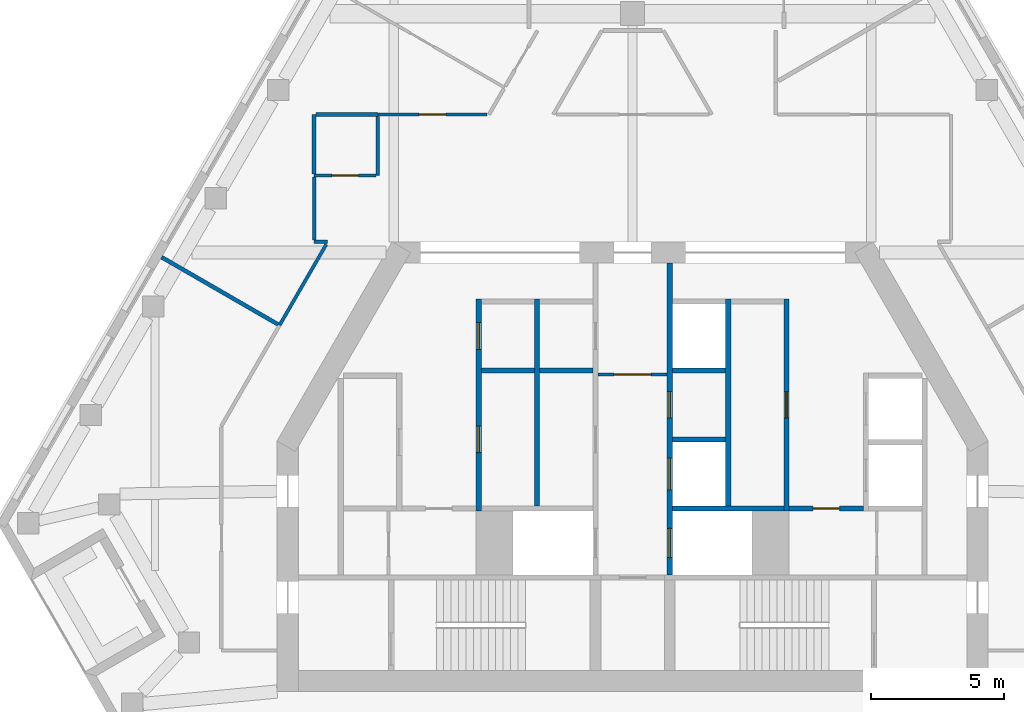
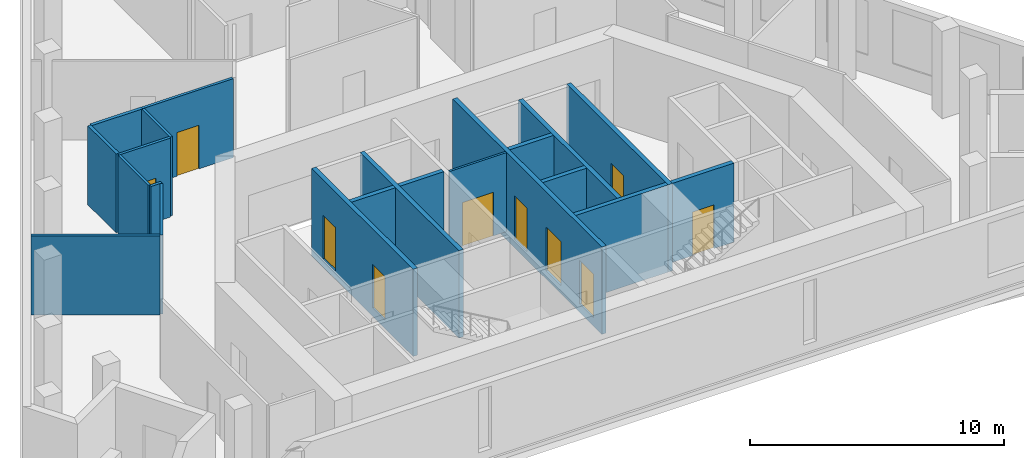
# One storey, part 3 of 8: 21 walls, 10 doors, 10 openings.
"""IFC4 building model written with IfcOpenShell, lengths in metres."""

import ifcopenshell
import ifcopenshell.guid

model = None  # the IFC model being written
_history = None  # IfcOwnerHistory: only IFC2X3 demands one
_inside = {}  # id of a spatial element -> (the spatial element, [elements in it])
_under = {}  # id of a project, library or spatial element -> (it, [spatial elements below it])
_declared = {}  # id of a project -> (the project, [libraries it declares])
_typed = {}  # id of a type object -> (the type object, [elements of that type])
_made_of = {}  # id of a material, layer set ... -> (it, [elements and type objects made of it])


def new_model(schema):
    """Start an empty IFC model of exactly this schema.

    Asked for "IFC4X3", IfcOpenShell would pick the latest addendum, in which some entities
    have other attributes; the version numbers below select the first issue.
    IFC2X3 requires an IfcOwnerHistory on every rooted entity: one is made here for all.
    """
    global model, _history
    if schema == "IFC4X3":
        model = ifcopenshell.file(schema_version=(4, 3, 0, 0))
    else:
        model = ifcopenshell.file(schema=schema)
    _inside.clear()
    _under.clear()
    _declared.clear()
    _typed.clear()
    _made_of.clear()
    _history = None
    if model.schema == "IFC2X3":
        org = make("IfcOrganization", Name="unknown")
        user = make(
            "IfcPersonAndOrganization",
            ThePerson=make("IfcPerson", FamilyName="unknown"),
            TheOrganization=org,
        )
        app = make(
            "IfcApplication",
            ApplicationDeveloper=org,
            Version="unknown",
            ApplicationFullName="unknown",
            ApplicationIdentifier="unknown",
        )
        _history = make(
            "IfcOwnerHistory",
            OwningUser=user,
            OwningApplication=app,
            ChangeAction="ADDED",
            CreationDate=0,
        )
    return model


def make(cls, **values):
    """One entity of the class cls with the attributes given. An attribute that is None is left unset."""
    return model.create_entity(
        cls, **{name: value for name, value in values.items() if value is not None}
    )


def rooted(cls, **values):
    """An entity with a GlobalId (a new one), such as an element, a storey or a relation."""
    return make(cls, GlobalId=ifcopenshell.guid.new(), OwnerHistory=_history, **values)


def si_unit(unit_type, name, prefix=None):
    """IfcSIUnit, for example si_unit("LENGTHUNIT", "METRE", prefix="MILLI")."""
    return make("IfcSIUnit", UnitType=unit_type, Prefix=prefix, Name=name)


def assignment(units):
    """IfcUnitAssignment: the units of a project."""
    return None if units is None else make("IfcUnitAssignment", Units=units)


def point(xyz):
    """IfcCartesianPoint."""
    return None if xyz is None else make("IfcCartesianPoint", Coordinates=xyz)


def direction(xyz):
    """IfcDirection."""
    return None if xyz is None else make("IfcDirection", DirectionRatios=xyz)


def frame(location, z_axis=None, x_axis=None):
    """IfcAxis2Placement3D, a coordinate frame: its origin and axes. An axis left out is left unset."""
    return make(
        "IfcAxis2Placement3D",
        Location=point(location),
        Axis=direction(z_axis),
        RefDirection=direction(x_axis),
    )


def frame_2d(location, x_axis=None):
    """IfcAxis2Placement2D, a coordinate frame in the plane: its origin and x axis."""
    return make(
        "IfcAxis2Placement2D", Location=point(location), RefDirection=direction(x_axis)
    )


def origin():
    """The frame at (0, 0, 0) with its axes left unset."""
    return frame((0.0, 0.0, 0.0))


def place(relative_to, where):
    """IfcLocalPlacement: puts the frame where relative to a parent placement (None: the world)."""
    return make(
        "IfcLocalPlacement", PlacementRelTo=relative_to, RelativePlacement=where
    )


def context(
    kind, dimensions, precision=None, world=None, true_north=None, identifier=None
):
    """IfcGeometricRepresentationContext, for example the 3D "Model" context."""
    return make(
        "IfcGeometricRepresentationContext",
        ContextIdentifier=identifier,
        ContextType=kind,
        CoordinateSpaceDimension=dimensions,
        Precision=precision,
        WorldCoordinateSystem=world,
        TrueNorth=true_north,
    )


def subcontext(parent, identifier, kind, view, scale=None):
    """IfcGeometricRepresentationSubContext, for example "Body" below "Model"."""
    return make(
        "IfcGeometricRepresentationSubContext",
        ContextIdentifier=identifier,
        ContextType=kind,
        ParentContext=parent,
        TargetScale=scale,
        TargetView=view,
    )


def project(units=None, contexts=None):
    """IfcProject with its units and contexts."""
    return rooted(
        "IfcProject",
        Name="project",
        RepresentationContexts=contexts,
        UnitsInContext=assignment(units),
    )


def spatial(cls, under=None, at=None, **own):
    """A site, building, storey or space (cls), placed at a placement, below another one or the project."""
    s = rooted(cls, ObjectPlacement=at, **own)
    if under is not None:
        _under.setdefault(under.id(), (under, []))[1].append(s)
    return s


def profile(cls, at=None, kind="AREA", **sizes):
    """A parametric profile (cls). Its sizes go by their IFC names, for example OverallWidth=200.0."""
    return make(cls, ProfileType=kind, Position=at, **sizes)


def rectangle(**sizes):
    """IfcRectangleProfileDef."""
    return profile("IfcRectangleProfileDef", **sizes)


def extrude(swept, where, along, depth):
    """IfcExtrudedAreaSolid: the profile swept, set in the frame where, extruded along a direction by depth."""
    return make(
        "IfcExtrudedAreaSolid",
        SweptArea=swept,
        Position=where,
        ExtrudedDirection=direction(along),
        Depth=depth,
    )


def shape(context_of_items, identifier, shape_type, items):
    """IfcShapeRepresentation: the items that make up one representation, for example the "Body"."""
    return make(
        "IfcShapeRepresentation",
        ContextOfItems=context_of_items,
        RepresentationIdentifier=identifier,
        RepresentationType=shape_type,
        Items=items,
    )


def material(Name=None, Category=None):
    """IfcMaterial."""
    return make("IfcMaterial", Name=Name, Category=Category)


def layer(
    of_material, thickness, ventilated=None, Name=None, Category=None, Priority=None
):
    """IfcMaterialLayer: one layer of a wall or slab, of a material (None: an air gap)."""
    return make(
        "IfcMaterialLayer",
        Material=of_material,
        LayerThickness=thickness,
        IsVentilated=ventilated,
        Name=Name,
        Category=Category,
        Priority=Priority,
    )


def layer_set(layers, Name=None):
    """IfcMaterialLayerSet."""
    return make("IfcMaterialLayerSet", MaterialLayers=layers, LayerSetName=Name)


def made_of(thing, what):
    """Note that an element or type object is made of a material, layer set ...; save() writes the relation."""
    if what is not None:
        _made_of.setdefault(what.id(), (what, []))[1].append(thing)
    return thing


def type_object(cls, material=None, **own):
    """A type object (cls), such as IfcWallType, which elements share."""
    return made_of(rooted(cls, **own), material)


def element(
    cls,
    number,
    at=None,
    inside=None,
    cuts=None,
    type_object=None,
    material=None,
    context=None,
    identifier="Body",
    shape_type=None,
    held_by="IfcProductDefinitionShape",
    body=None,
    shapes=None,
    **own,
):
    """One element of the class cls, such as IfcWall. Its Tag is "e" and its number.

    at: its placement. inside: the storey or other place that contains it. cuts: it is an
    opening in that element (IfcRelVoidsElement). A single representation is given by context,
    identifier, shape_type and body (its items); several are given by shapes. held_by: the class
    of the entity that holds the representations. save() writes the other relations.
    """
    e = rooted(cls, Tag="e%d" % number, ObjectPlacement=at, **own)
    if body is not None:
        shapes = [shape(context, identifier, shape_type, body)]
    if shapes is not None:
        e.Representation = make(held_by, Representations=shapes)
    if inside is not None:
        _inside.setdefault(inside.id(), (inside, []))[1].append(e)
    if cuts is not None:
        rooted(
            "IfcRelVoidsElement", RelatingBuildingElement=cuts, RelatedOpeningElement=e
        )
    if type_object is not None:
        _typed.setdefault(type_object.id(), (type_object, []))[1].append(e)
    return made_of(e, material)


def fill(opening, filler):
    """IfcRelFillsElement: the door or window that sits in an opening."""
    return rooted(
        "IfcRelFillsElement",
        RelatingOpeningElement=opening,
        RelatedBuildingElement=filler,
    )


def aggregate(whole, parts):
    """IfcRelAggregates: a whole, such as a stair, and the parts it consists of."""
    return rooted("IfcRelAggregates", RelatingObject=whole, RelatedObjects=parts)


def save(model, path):
    """Write the relations noted so far, then the file.

    IfcRelAggregates (storeys below a building ...), IfcRelContainedInSpatialStructure (elements
    in a storey), IfcRelDefinesByType, IfcRelAssociatesMaterial and IfcRelDeclares: one each for
    every whole, place, type object, material and project.
    """
    for whole, parts in _under.values():
        aggregate(whole, parts)
    for where, things in _inside.values():
        rooted(
            "IfcRelContainedInSpatialStructure",
            RelatedElements=things,
            RelatingStructure=where,
        )
    for kind, things in _typed.values():
        rooted("IfcRelDefinesByType", RelatedObjects=things, RelatingType=kind)
    for what, things in _made_of.values():
        rooted("IfcRelAssociatesMaterial", RelatedObjects=things, RelatingMaterial=what)
    for by, libraries in _declared.values():
        rooted("IfcRelDeclares", RelatingContext=by, RelatedDefinitions=libraries)
    model.write(path)


model = new_model("IFC4")

# Units and contexts
model_context = context("Model", 3, precision=1e-05, world=origin(), true_north=direction((0.0, 1.0)))
body_context = subcontext(model_context, "Body", "Model", "MODEL_VIEW")
ifc_project = project(units=[si_unit("LENGTHUNIT", "METRE"), si_unit("AREAUNIT", "SQUARE_METRE"), si_unit("VOLUMEUNIT", "CUBIC_METRE"), si_unit("PLANEANGLEUNIT", "RADIAN"), si_unit("MASSUNIT", "GRAM", prefix="KILO")], contexts=[model_context])

# Site, building, storey
site_placement = place(None, origin())
site = spatial("IfcSite", under=ifc_project, at=site_placement, CompositionType="ELEMENT")
building_placement = place(site_placement, origin())
building = spatial("IfcBuilding", under=site, at=building_placement, Name="Fogline Exchange Tower", CompositionType="ELEMENT")
storey_placement = place(building_placement, frame((0.0, 0.0, 335.10009765625)))
storey = spatial("IfcBuildingStorey", under=building, at=storey_placement, Name="L76", CompositionType="ELEMENT", Elevation=335.10009765625)

# Wall, opening, door
ifc_material_1 = material(Name="Blockwork partition", Category="masonry")
ifc_layer_1 = layer(ifc_material_1, 0.10009765625)
ifc_layer_set_1 = layer_set([ifc_layer_1], Name="CW10")
wall_type_1 = type_object("IfcWallType", Name="CW10", PredefinedType="PARTITIONING", material=ifc_layer_set_1)
wall_1_placement = place(storey_placement, frame((-1.300048828125, 13.39990234375, 0.0), z_axis=(0.0, 0.0, 1.0), x_axis=(1.0, 0.0, 0.0)))
wall_1 = element("IfcWall", 1, at=wall_1_placement, inside=storey, type_object=wall_type_1, Name="Lift lobby partition", PredefinedType="PARTITIONING", context=body_context, shape_type="SweptSolid", body=[
    extrude(rectangle(XDim=2.60009765625, YDim=0.10009765625, at=frame_2d((1.300048828125, 0.0))), origin(), (0.0, 0.0, 1.0), 3.7998046875),
])
opening_1_placement = place(wall_1_placement, frame((0.60009765625, 0.0, 0.0)))
opening_1 = element("IfcOpeningElement", 2, at=opening_1_placement, cuts=wall_1, Name="Opening T24-C019", PredefinedType="OPENING", context=body_context, shape_type="SweptSolid", body=[
    extrude(rectangle(XDim=1.39990234375, YDim=2.10009765625, at=frame_2d((0.699951171875, 1.050048828125))), frame((0.0, 0.06005859375, 0.0), z_axis=(0.0, -1.0, 0.0), x_axis=(1.0, 0.0, 0.0)), (0.0, 0.0, 1.0), 0.1201171875),
])
ifc_material_2 = material(Name="Steel and timber fire door", Category="steel")
door_type_1 = type_object("IfcDoorType", Name="D-LB1", OperationType="DOUBLE_DOOR_SINGLE_SWING", PredefinedType="DOOR", material=ifc_material_2)
door_1_placement = place(opening_1_placement, origin())
door_1 = element("IfcDoor", 3, at=door_1_placement, inside=storey, type_object=door_type_1, Name="Door to firefighting lift lobby", OperationType="DOUBLE_DOOR_SINGLE_SWING", OverallHeight=2.10009765625, OverallWidth=1.39990234375, PredefinedType="DOOR", context=body_context, shape_type="SweptSolid", body=[
    extrude(rectangle(XDim=1.39990234375, YDim=2.10009765625, at=frame_2d((0.699951171875, 1.050048828125))), frame((0.0, 0.02490234375, 0.0), z_axis=(0.0, -1.0, 0.0), x_axis=(1.0, 0.0, 0.0)), (0.0, 0.0, 1.0), 0.050048828125),
])
fill(opening_1, door_1)

# Walls
ifc_material_3 = material(Name="Concrete C40", Category="concrete")
ifc_layer_2 = layer(ifc_material_3, 0.199951171875)
ifc_layer_set_2 = layer_set([ifc_layer_2], Name="CW20")
wall_type_2 = type_object("IfcWallType", Name="CW20", PredefinedType="SOLIDWALL", material=ifc_layer_set_2)
for number, where, z_axis, x_axis, name in (
    (4, (-5.699951171875, 13.550048828125, 0.0), (0.0, 0.0, 1.0), (1.0, 0.0, 0.0), "Service room wall"),
    (5, (-3.5, 13.550048828125, 0.0), (0.0, 0.0, 1.0), (1.0, 0.0, 0.0), "Service room wall"),
):
    element("IfcWall", number, at=place(storey_placement, frame(where, z_axis=z_axis, x_axis=x_axis)), inside=storey, type_object=wall_type_2, Name=name, PredefinedType="SOLIDWALL", context=body_context, shape_type="SweptSolid", body=[
        extrude(rectangle(XDim=2.0, YDim=0.199951171875, at=frame_2d((1.0, 0.0))), origin(), (0.0, 0.0, 1.0), 3.7998046875),
    ])

# Wall, opening, door
wall_2_placement = place(storey_placement, frame((5.89990234375, 8.35009765625, 0.0), z_axis=(0.0, 0.0, 1.0), x_axis=(1.0, 0.0, 0.0)))
wall_2 = element("IfcWall", 6, at=wall_2_placement, inside=storey, type_object=wall_type_2, Name="WC wall", PredefinedType="SOLIDWALL", context=body_context, shape_type="SweptSolid", body=[
    extrude(rectangle(XDim=2.800048828125, YDim=0.199951171875, at=frame_2d((1.39990234375, 0.0))), origin(), (0.0, 0.0, 1.0), 3.7998046875),
])
opening_2_placement = place(wall_2_placement, frame((0.89990234375, 0.0, 0.0)))
opening_2 = element("IfcOpeningElement", 7, at=opening_2_placement, cuts=wall_2, Name="Opening T24-C014", PredefinedType="OPENING", context=body_context, shape_type="SweptSolid", body=[
    extrude(rectangle(XDim=1.0, YDim=2.10009765625, at=frame_2d((0.5, 1.050048828125))), frame((0.0, 0.10986328125, 0.0), z_axis=(0.0, -1.0, 0.0), x_axis=(1.0, 0.0, 0.0)), (0.0, 0.0, 1.0), 0.219970703125),
])
door_type_2 = type_object("IfcDoorType", Name="D-WC1", OperationType="SINGLE_SWING_LEFT", PredefinedType="DOOR", material=ifc_material_2)
door_2_placement = place(opening_2_placement, frame((1.0, 0.0, 0.0), z_axis=(0.0, 0.0, 1.0), x_axis=(-1.0, 0.0, 0.0)))
door_2 = element("IfcDoor", 8, at=door_2_placement, inside=storey, type_object=door_type_2, Name="Door to Women's WC", OperationType="SINGLE_SWING_LEFT", OverallHeight=2.10009765625, OverallWidth=1.0, PredefinedType="DOOR", context=body_context, shape_type="SweptSolid", body=[
    extrude(rectangle(XDim=1.0, YDim=2.10009765625, at=frame_2d((0.5, 1.050048828125))), frame((0.0, 0.02490234375, 0.0), z_axis=(0.0, -1.0, 0.0), x_axis=(1.0, 0.0, 0.0)), (0.0, 0.0, 1.0), 0.050048828125),
])
fill(opening_2, door_2)

# Wall, openings, doors
ifc_layer_3 = layer(ifc_material_3, 0.199951171875)
ifc_layer_set_3 = layer_set([ifc_layer_3], Name="CW20S")
wall_type_3 = type_object("IfcWallType", Name="CW20S", PredefinedType="SOLIDWALL", material=ifc_layer_set_3)
wall_3_placement = place(storey_placement, frame((-5.800048828125, 8.25, -0.400146484375), z_axis=(0.0, 0.0, 1.0), x_axis=(0.0, 1.0, 0.0)))
wall_3 = element("IfcWall", 9, at=wall_3_placement, inside=storey, type_object=wall_type_3, Name="Lift shaft wall", PredefinedType="SOLIDWALL", context=body_context, shape_type="SweptSolid", body=[
    extrude(rectangle(XDim=8.0, YDim=0.199951171875, at=frame_2d((4.0, 0.0))), origin(), (0.0, 0.0, 1.0), 4.199951171875),
])
opening_3_placement = place(wall_3_placement, frame((2.199951171875, 0.0, 0.39990234375)))
opening_3 = element("IfcOpeningElement", 10, at=opening_3_placement, cuts=wall_3, Name="Opening T24-C002", PredefinedType="OPENING", context=body_context, shape_type="SweptSolid", body=[
    extrude(rectangle(XDim=1.0, YDim=2.10009765625, at=frame_2d((0.5, 1.050048828125))), frame((0.0, 0.10986328125, 0.0), z_axis=(0.0, -1.0, 0.0), x_axis=(1.0, 0.0, 0.0)), (0.0, 0.0, 1.0), 0.219970703125),
])
opening_4_placement = place(wall_3_placement, frame((6.10009765625, 0.0, 0.39990234375)))
opening_4 = element("IfcOpeningElement", 11, at=opening_4_placement, cuts=wall_3, Name="Opening T24-C003", PredefinedType="OPENING", context=body_context, shape_type="SweptSolid", body=[
    extrude(rectangle(XDim=1.0, YDim=2.10009765625, at=frame_2d((0.5, 1.050048828125))), frame((0.0, 0.10986328125, 0.0), z_axis=(0.0, -1.0, 0.0), x_axis=(1.0, 0.0, 0.0)), (0.0, 0.0, 1.0), 0.219970703125),
])
door_type_3 = type_object("IfcDoorType", Name="D-RM1", OperationType="SINGLE_SWING_LEFT", PredefinedType="DOOR", material=ifc_material_2)
door_3_placement = place(opening_3_placement, frame((1.0, 0.0, 0.0), z_axis=(0.0, 0.0, 1.0), x_axis=(-1.0, 0.0, 0.0)))
door_3 = element("IfcDoor", 12, at=door_3_placement, inside=storey, type_object=door_type_3, Name="Door to Equipment Room", OperationType="SINGLE_SWING_LEFT", OverallHeight=2.10009765625, OverallWidth=1.0, PredefinedType="DOOR", context=body_context, shape_type="SweptSolid", body=[
    extrude(rectangle(XDim=1.0, YDim=2.10009765625, at=frame_2d((0.5, 1.050048828125))), frame((0.0, 0.02490234375, 0.0), z_axis=(0.0, -1.0, 0.0), x_axis=(1.0, 0.0, 0.0)), (0.0, 0.0, 1.0), 0.050048828125),
])
fill(opening_3, door_3)
door_4_placement = place(opening_4_placement, frame((1.0, 0.0, 0.0), z_axis=(0.0, 0.0, 1.0), x_axis=(-1.0, 0.0, 0.0)))
door_4 = element("IfcDoor", 13, at=door_4_placement, inside=storey, type_object=door_type_3, Name="Door to Server Room", OperationType="SINGLE_SWING_RIGHT", OverallHeight=2.10009765625, OverallWidth=1.0, PredefinedType="DOOR", context=body_context, shape_type="SweptSolid", body=[
    extrude(rectangle(XDim=1.0, YDim=2.10009765625, at=frame_2d((0.5, 1.050048828125))), frame((0.0, 0.02490234375, 0.0), z_axis=(0.0, -1.0, 0.0), x_axis=(1.0, 0.0, 0.0)), (0.0, 0.0, 1.0), 0.050048828125),
])
fill(opening_4, door_4)

# Wall, opening, door
wall_4_placement = place(storey_placement, frame((5.800048828125, 8.25, -0.400146484375), z_axis=(0.0, 0.0, 1.0), x_axis=(0.0, 1.0, 0.0)))
wall_4 = element("IfcWall", 14, at=wall_4_placement, inside=storey, type_object=wall_type_3, Name="Lift shaft wall", PredefinedType="SOLIDWALL", context=body_context, shape_type="SweptSolid", body=[
    extrude(rectangle(XDim=8.0, YDim=0.199951171875, at=frame_2d((4.0, 0.0))), origin(), (0.0, 0.0, 1.0), 4.199951171875),
])
opening_5_placement = place(wall_4_placement, frame((3.5, 0.0, 0.39990234375)))
opening_5 = element("IfcOpeningElement", 15, at=opening_5_placement, cuts=wall_4, Name="Opening T24-C006", PredefinedType="OPENING", context=body_context, shape_type="SweptSolid", body=[
    extrude(rectangle(XDim=1.0, YDim=2.10009765625, at=frame_2d((0.5, 1.050048828125))), frame((0.0, 0.10986328125, 0.0), z_axis=(0.0, -1.0, 0.0), x_axis=(1.0, 0.0, 0.0)), (0.0, 0.0, 1.0), 0.219970703125),
])
door_5_placement = place(opening_5_placement, origin())
door_5 = element("IfcDoor", 16, at=door_5_placement, inside=storey, type_object=door_type_3, Name="Door to Trading Desk Annexe", OperationType="SINGLE_SWING_LEFT", OverallHeight=2.10009765625, OverallWidth=1.0, PredefinedType="DOOR", context=body_context, shape_type="SweptSolid", body=[
    extrude(rectangle(XDim=1.0, YDim=2.10009765625, at=frame_2d((0.5, 1.050048828125))), frame((0.0, 0.02490234375, 0.0), z_axis=(0.0, -1.0, 0.0), x_axis=(1.0, 0.0, 0.0)), (0.0, 0.0, 1.0), 0.050048828125),
])
fill(opening_5, door_5)

# Walls
for number, where, z_axis, x_axis, name in (
    (17, (-3.60009765625, 8.449951171875, -0.400146484375), (0.0, 0.0, 1.0), (0.0, 1.0, 0.0), "Lift shaft wall"),
    (18, (3.60009765625, 8.449951171875, -0.400146484375), (0.0, 0.0, 1.0), (0.0, 1.0, 0.0), "Lift shaft wall"),
):
    element("IfcWall", number, at=place(storey_placement, frame(where, z_axis=z_axis, x_axis=x_axis)), inside=storey, type_object=wall_type_3, Name=name, PredefinedType="SOLIDWALL", context=body_context, shape_type="SweptSolid", body=[
        extrude(rectangle(XDim=7.800048828125, YDim=0.199951171875, at=frame_2d((3.89990234375, 0.0))), origin(), (0.0, 0.0, 1.0), 4.199951171875),
    ])

# Wall, openings, doors
wall_5_placement = place(storey_placement, frame((1.39990234375, 5.85009765625, -0.400146484375), z_axis=(0.0, 0.0, 1.0), x_axis=(0.0, 1.0, 0.0)))
wall_5 = element("IfcWall", 19, at=wall_5_placement, inside=storey, type_object=wall_type_3, Name="Lift lobby wall", PredefinedType="SOLIDWALL", context=body_context, shape_type="SweptSolid", body=[
    extrude(rectangle(XDim=11.75, YDim=0.199951171875, at=frame_2d((5.875, 0.0))), origin(), (0.0, 0.0, 1.0), 4.199951171875),
])
opening_6_placement = place(wall_5_placement, frame((3.199951171875, 0.0, 0.39990234375)))
opening_6 = element("IfcOpeningElement", 20, at=opening_6_placement, cuts=wall_5, Name="Opening T24-LD04", PredefinedType="OPENING", context=body_context, shape_type="SweptSolid", body=[
    extrude(rectangle(XDim=1.199951171875, YDim=2.10009765625, at=frame_2d((0.60009765625, 1.050048828125))), frame((0.0, 0.10986328125, 0.0), z_axis=(0.0, -1.0, 0.0), x_axis=(1.0, 0.0, 0.0)), (0.0, 0.0, 1.0), 0.219970703125),
])
opening_7_placement = place(wall_5_placement, frame((0.64990234375, 0.0, 0.39990234375)))
opening_7 = element("IfcOpeningElement", 21, at=opening_7_placement, cuts=wall_5, Name="Opening T24-LD05", PredefinedType="OPENING", context=body_context, shape_type="SweptSolid", body=[
    extrude(rectangle(XDim=1.10009765625, YDim=2.10009765625, at=frame_2d((0.550048828125, 1.050048828125))), frame((0.0, 0.10986328125, 0.0), z_axis=(0.0, -1.0, 0.0), x_axis=(1.0, 0.0, 0.0)), (0.0, 0.0, 1.0), 0.219970703125),
])
opening_8_placement = place(wall_5_placement, frame((5.89990234375, 0.0, 0.39990234375)))
opening_8 = element("IfcOpeningElement", 22, at=opening_8_placement, cuts=wall_5, Name="Opening T24-C007", PredefinedType="OPENING", context=body_context, shape_type="SweptSolid", body=[
    extrude(rectangle(XDim=1.0, YDim=2.10009765625, at=frame_2d((0.5, 1.050048828125))), frame((0.0, 0.10986328125, 0.0), z_axis=(0.0, -1.0, 0.0), x_axis=(1.0, 0.0, 0.0)), (0.0, 0.0, 1.0), 0.219970703125),
])
door_6_placement = place(opening_8_placement, frame((1.0, 0.0, 0.0), z_axis=(0.0, 0.0, 1.0), x_axis=(-1.0, 0.0, 0.0)))
door_6 = element("IfcDoor", 23, at=door_6_placement, inside=storey, type_object=door_type_3, Name="Door to Cable Store", OperationType="SINGLE_SWING_RIGHT", OverallHeight=2.10009765625, OverallWidth=1.0, PredefinedType="DOOR", context=body_context, shape_type="SweptSolid", body=[
    extrude(rectangle(XDim=1.0, YDim=2.10009765625, at=frame_2d((0.5, 1.050048828125))), frame((0.0, 0.02490234375, 0.0), z_axis=(0.0, -1.0, 0.0), x_axis=(1.0, 0.0, 0.0)), (0.0, 0.0, 1.0), 0.050048828125),
])
fill(opening_8, door_6)
door_type_4 = type_object("IfcDoorType", Name="LD1", OperationType="SLIDING_TO_LEFT", PredefinedType="DOOR", material=ifc_material_2)
door_7_placement = place(opening_6_placement, origin())
door_7 = element("IfcDoor", 24, at=door_7_placement, inside=storey, type_object=door_type_4, Name="Landing door HR3", OperationType="SLIDING_TO_LEFT", OverallHeight=2.10009765625, OverallWidth=1.199951171875, PredefinedType="DOOR", context=body_context, shape_type="SweptSolid", body=[
    extrude(rectangle(XDim=1.199951171875, YDim=2.10009765625, at=frame_2d((0.60009765625, 1.050048828125))), frame((0.0, 0.02490234375, 0.0), z_axis=(0.0, -1.0, 0.0), x_axis=(1.0, 0.0, 0.0)), (0.0, 0.0, 1.0), 0.050048828125),
])
fill(opening_6, door_7)
door_type_5 = type_object("IfcDoorType", Name="LD2", OperationType="SLIDING_TO_RIGHT", PredefinedType="DOOR", material=ifc_material_2)
door_8_placement = place(opening_7_placement, origin())
door_8 = element("IfcDoor", 25, at=door_8_placement, inside=storey, type_object=door_type_5, Name="Landing door FF2", OperationType="SLIDING_TO_RIGHT", OverallHeight=2.10009765625, OverallWidth=1.10009765625, PredefinedType="DOOR", context=body_context, shape_type="SweptSolid", body=[
    extrude(rectangle(XDim=1.10009765625, YDim=2.10009765625, at=frame_2d((0.550048828125, 1.050048828125))), frame((0.0, 0.02490234375, 0.0), z_axis=(0.0, -1.0, 0.0), x_axis=(1.0, 0.0, 0.0)), (0.0, 0.0, 1.0), 0.050048828125),
])
fill(opening_7, door_8)

# Walls
wall_6_placement = place(storey_placement, frame((1.5, 8.35009765625, -0.400146484375), z_axis=(0.0, 0.0, 1.0), x_axis=(1.0, 0.0, 0.0)))
element("IfcWall", 26, at=wall_6_placement, inside=storey, type_object=wall_type_3, Name="Lift shaft wall", PredefinedType="SOLIDWALL", context=body_context, shape_type="SweptSolid", body=[
    extrude(rectangle(XDim=4.199951171875, YDim=0.199951171875, at=frame_2d((2.10009765625, 0.0))), origin(), (0.0, 0.0, 1.0), 4.199951171875),
])
for number, where, z_axis, x_axis, name in (
    (27, (1.5, 10.949951171875, -0.400146484375), (0.0, 0.0, 1.0), (1.0, 0.0, 0.0), "Lift shaft wall"),
    (28, (1.5, 13.550048828125, -0.400146484375), (0.0, 0.0, 1.0), (1.0, 0.0, 0.0), "Lift shaft wall"),
):
    element("IfcWall", number, at=place(storey_placement, frame(where, z_axis=z_axis, x_axis=x_axis)), inside=storey, type_object=wall_type_3, Name=name, PredefinedType="SOLIDWALL", context=body_context, shape_type="SweptSolid", body=[
        extrude(rectangle(XDim=2.0, YDim=0.199951171875, at=frame_2d((1.0, 0.0))), origin(), (0.0, 0.0, 1.0), 4.199951171875),
    ])

# Wall, opening, door
ifc_material_4 = material(Name="Plasterboard corridor partition with mineral wool, 2 layers each side")
ifc_layer_4 = layer(ifc_material_4, 0.125)
ifc_layer_set_4 = layer_set([ifc_layer_4], Name="PW2")
wall_type_4 = type_object("IfcWallType", Name="PW2", PredefinedType="PARTITIONING", material=ifc_layer_set_4)
wall_7_placement = place(storey_placement, frame((-12.0, 20.89990234375, 0.0), z_axis=(0.0, 0.0, 1.0), x_axis=(1.0, 0.0, 0.0)))
wall_7 = element("IfcWall", 29, at=wall_7_placement, inside=storey, type_object=wall_type_4, Name="wall-L76-W009", PredefinedType="PARTITIONING", context=body_context, shape_type="SweptSolid", body=[
    extrude(rectangle(XDim=2.33740234375, YDim=0.125, at=frame_2d((1.168701171875, 0.0))), origin(), (0.0, 0.0, 1.0), 3.7998046875),
])
opening_9_placement = place(wall_7_placement, frame((0.668701171875, 0.0, 0.0)))
opening_9 = element("IfcOpeningElement", 30, at=opening_9_placement, cuts=wall_7, Name="Opening T24-D004", PredefinedType="OPENING", context=body_context, shape_type="SweptSolid", body=[
    extrude(rectangle(XDim=1.0, YDim=2.10009765625, at=frame_2d((0.5, 1.050048828125))), frame((0.0, 0.072509765625, 0.0), z_axis=(0.0, -1.0, 0.0), x_axis=(1.0, 0.0, 0.0)), (0.0, 0.0, 1.0), 0.14501953125),
])
ifc_material_5 = material(Name="Fire-rated timber door leaf with steel frame", Category="steel")
door_type_6 = type_object("IfcDoorType", Name="D3", OperationType="SINGLE_SWING_LEFT", PredefinedType="DOOR", material=ifc_material_5)
door_9_placement = place(opening_9_placement, origin())
door_9 = element("IfcDoor", 31, at=door_9_placement, inside=storey, type_object=door_type_6, Name="door-L76-D004", OperationType="SINGLE_SWING_LEFT", OverallHeight=2.10009765625, OverallWidth=1.0, PredefinedType="DOOR", context=body_context, shape_type="SweptSolid", body=[
    extrude(rectangle(XDim=1.0, YDim=2.10009765625, at=frame_2d((0.5, 1.050048828125))), frame((0.0, 0.02490234375, 0.0), z_axis=(0.0, -1.0, 0.0), x_axis=(1.0, 0.0, 0.0)), (0.0, 0.0, 1.0), 0.050048828125),
])
fill(opening_9, door_9)

# Walls
wall_8_placement = place(storey_placement, frame((-9.60009765625, 20.89990234375, 0.0), z_axis=(0.0, 0.0, 1.0), x_axis=(0.0, 1.0, 0.0)))
element("IfcWall", 32, at=wall_8_placement, inside=storey, type_object=wall_type_4, Name="wall-L76-W010", PredefinedType="PARTITIONING", context=body_context, shape_type="SweptSolid", body=[
    extrude(rectangle(XDim=2.224609375, YDim=0.125, at=frame_2d((1.1123046875, 0.0))), origin(), (0.0, 0.0, 1.0), 3.7998046875),
])
wall_9_placement = place(storey_placement, frame((-11.489990234375, 18.39990234375, 0.0), z_axis=(0.0, 0.0, 1.0), x_axis=(-1.0, 0.0, 0.0)))
element("IfcWall", 33, at=wall_9_placement, inside=storey, type_object=wall_type_4, Name="wall-L76-W011", PredefinedType="PARTITIONING", context=body_context, shape_type="SweptSolid", body=[
    extrude(rectangle(XDim=0.510009765625, YDim=0.125, at=frame_2d((0.2548828125, 0.0))), origin(), (0.0, 0.0, 1.0), 3.7998046875),
])
wall_10_placement = place(storey_placement, frame((-12.0, 18.46240234375, 0.0), z_axis=(0.0, 0.0, 1.0), x_axis=(0.0, 1.0, 0.0)))
element("IfcWall", 34, at=wall_10_placement, inside=storey, type_object=wall_type_4, Name="wall-L76-W012", PredefinedType="PARTITIONING", context=body_context, shape_type="SweptSolid", body=[
    extrude(rectangle(XDim=2.37451171875, YDim=0.125, at=frame_2d((1.187255859375, 0.0))), origin(), (0.0, 0.0, 1.0), 3.7998046875),
])

# Wall, opening, door
wall_11_placement = place(storey_placement, frame((-9.60009765625, 23.199951171875, 0.0), z_axis=(0.0, 0.0, 1.0), x_axis=(1.0, 0.0, 0.0)))
wall_11 = element("IfcWall", 35, at=wall_11_placement, inside=storey, type_object=wall_type_4, Name="wall-L76-W013", PredefinedType="PARTITIONING", context=body_context, shape_type="SweptSolid", body=[
    extrude(rectangle(XDim=4.11767578125, YDim=0.125, at=frame_2d((2.058837890625, 0.0))), origin(), (0.0, 0.0, 1.0), 3.7998046875),
])
opening_10_placement = place(wall_11_placement, frame((1.558837890625, 0.0, 0.0)))
opening_10 = element("IfcOpeningElement", 36, at=opening_10_placement, cuts=wall_11, Name="Opening T24-D005", PredefinedType="OPENING", context=body_context, shape_type="SweptSolid", body=[
    extrude(rectangle(XDim=1.0, YDim=2.10009765625, at=frame_2d((0.5, 1.050048828125))), frame((0.0, 0.072509765625, 0.0), z_axis=(0.0, -1.0, 0.0), x_axis=(1.0, 0.0, 0.0)), (0.0, 0.0, 1.0), 0.14501953125),
])
door_10_placement = place(opening_10_placement, origin())
door_10 = element("IfcDoor", 37, at=door_10_placement, inside=storey, type_object=door_type_6, Name="door-L76-D005", OperationType="SINGLE_SWING_LEFT", OverallHeight=2.10009765625, OverallWidth=1.0, PredefinedType="DOOR", context=body_context, shape_type="SweptSolid", body=[
    extrude(rectangle(XDim=1.0, YDim=2.10009765625, at=frame_2d((0.5, 1.050048828125))), frame((0.0, 0.02490234375, 0.0), z_axis=(0.0, -1.0, 0.0), x_axis=(1.0, 0.0, 0.0)), (0.0, 0.0, 1.0), 0.050048828125),
])
fill(opening_10, door_10)

# Walls
wall_12_placement = place(storey_placement, frame((-13.30615234375, 15.25439453125, 0.0), z_axis=(0.0, 0.0, 1.0), x_axis=(0.499984357326, 0.866034434898, 0.0)))
element("IfcWall", 38, at=wall_12_placement, inside=storey, type_object=wall_type_4, Name="wall-L76-W014", PredefinedType="PARTITIONING", context=body_context, shape_type="SweptSolid", body=[
    extrude(rectangle(XDim=3.5234375, YDim=0.125, at=frame_2d((1.76171875, 0.0))), origin(), (0.0, 0.0, 1.0), 3.7998046875),
])
ifc_material_6 = material(Name="Plasterboard demising partition with mineral wool and acoustic board")
ifc_layer_5 = layer(ifc_material_6, 0.14990234375)
ifc_layer_set_5 = layer_set([ifc_layer_5], Name="PW3")
wall_type_5 = type_object("IfcWallType", Name="PW3", PredefinedType="PARTITIONING", material=ifc_layer_set_5)
wall_13_placement = place(storey_placement, frame((-12.0, 20.962890625, 0.0), z_axis=(0.0, 0.0, 1.0), x_axis=(0.0, 1.0, 0.0)))
element("IfcWall", 39, at=wall_13_placement, inside=storey, type_object=wall_type_5, Name="wall-L76-W035", PredefinedType="PARTITIONING", context=body_context, shape_type="SweptSolid", body=[
    extrude(rectangle(XDim=2.237060546875, YDim=0.14990234375, at=frame_2d((1.11865234375, 0.0))), origin(), (0.0, 0.0, 1.0), 3.7998046875),
])
wall_14_placement = place(storey_placement, frame((-11.925048828125, 23.199951171875, 0.0), z_axis=(0.0, 0.0, 1.0), x_axis=(1.0, 0.0, 0.0)))
element("IfcWall", 40, at=wall_14_placement, inside=storey, type_object=wall_type_5, Name="wall-L76-W036", PredefinedType="PARTITIONING", context=body_context, shape_type="SweptSolid", body=[
    extrude(rectangle(XDim=2.324951171875, YDim=0.14990234375, at=frame_2d((1.16259765625, 0.0))), origin(), (0.0, 0.0, 1.0), 3.7998046875),
])
wall_15_placement = place(storey_placement, frame((-13.3603515625, 15.285400390625, 0.0), z_axis=(0.0, 0.0, 1.0), x_axis=(-0.86601005171, 0.50002658963, 0.0)))
element("IfcWall", 41, at=wall_15_placement, inside=storey, type_object=wall_type_5, Name="wall-L76-W037", PredefinedType="PARTITIONING", context=body_context, shape_type="SweptSolid", body=[
    extrude(rectangle(XDim=5.072509765625, YDim=0.14990234375, at=frame_2d((2.5361328125, 0.0))), origin(), (0.0, 0.0, 1.0), 3.7998046875),
])

save(model, "model.ifc")
